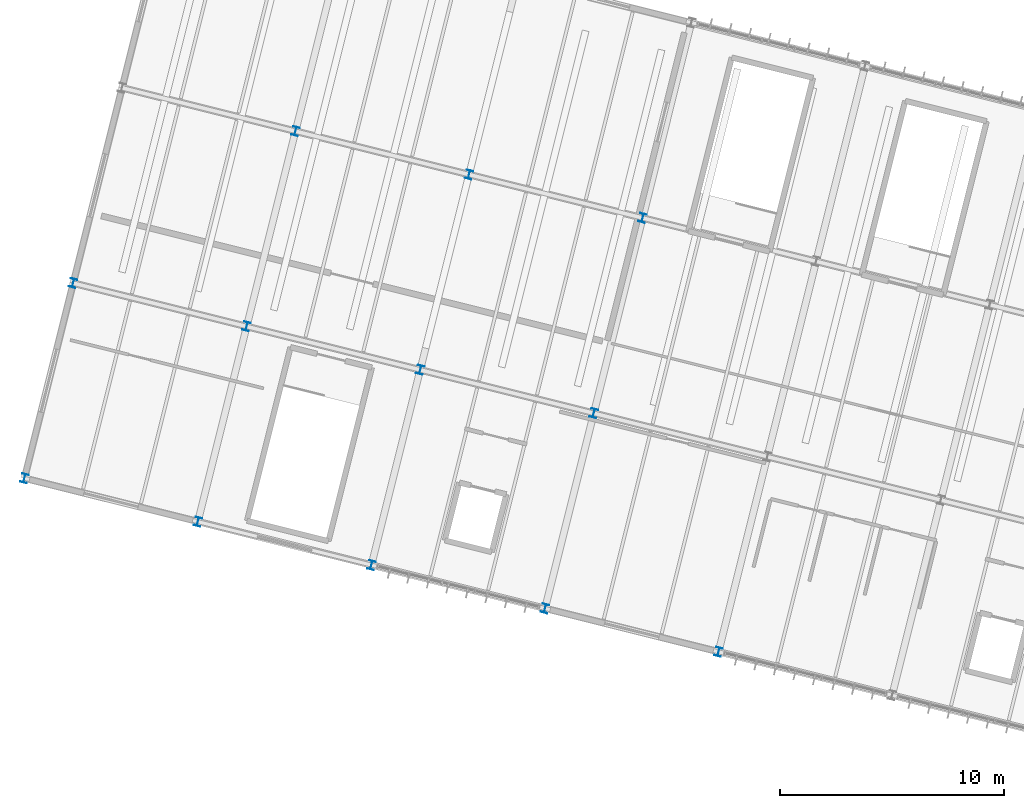
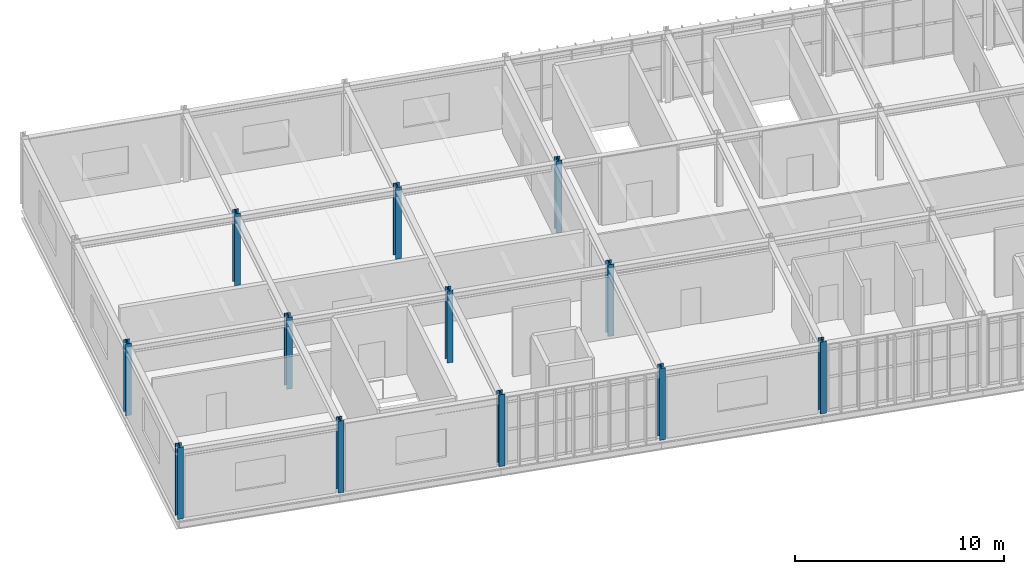
# One storey, part 1 of 30: 12 columns.
"""IFC4 building model written with IfcOpenShell, lengths in metres."""

from ifc_helpers import new_model, si_unit, derived_unit, direction, frame, origin, origin_2d, place, context, subcontext, project, spatial, i_section, extrude, material, material_profile, profile_set, type_object, element, save


model = new_model("IFC4")

# Units and contexts
model_context = context("Model", 3, precision=1e-05, world=origin(), true_north=direction((0.0, 1.0)))
body_context = subcontext(model_context, "Body", "Model", "MODEL_VIEW")
ifc_project = project(units=[si_unit("LENGTHUNIT", "METRE"), si_unit("AREAUNIT", "SQUARE_METRE"), si_unit("VOLUMEUNIT", "CUBIC_METRE"), si_unit("PLANEANGLEUNIT", "RADIAN"), si_unit("MASSUNIT", "GRAM", prefix="KILO"), si_unit("THERMODYNAMICTEMPERATUREUNIT", "KELVIN"), si_unit("TIMEUNIT", "SECOND"), derived_unit("THERMALTRANSMITTANCEUNIT", [(si_unit("MASSUNIT", "GRAM", prefix="KILO"), 1), (si_unit("THERMODYNAMICTEMPERATUREUNIT", "KELVIN"), -1), (si_unit("TIMEUNIT", "SECOND"), -3)])], contexts=[model_context])

# Site, building, storey
site_placement = place(None, origin())
site = spatial("IfcSite", under=ifc_project, at=site_placement, CompositionType="ELEMENT")
building_placement = place(site_placement, origin())
building = spatial("IfcBuilding", under=site, at=building_placement, Name="Cambertide Market Hall", CompositionType="ELEMENT")
storey_placement = place(building_placement, frame((0.0, 0.0, 14.10009765625)))
storey = spatial("IfcBuildingStorey", under=building, at=storey_placement, Name="L04", CompositionType="ELEMENT", Elevation=14.10009765625)

# Columns
ifc_material_1 = material(Name="Steel S355", Category="steel")
ifc_material_profile_1 = material_profile(ifc_material_1, i_section(OverallWidth=0.300048828125, OverallDepth=0.389892578125, WebThickness=0.010986328125, FlangeThickness=0.01904296875, FilletRadius=0.027099609375, at=origin_2d()), Name="HEA 400")
ifc_profile_set_1 = profile_set([ifc_material_profile_1], Name="Steel S355")
column_type_1 = type_object("IfcColumnType", Name="Exterior Steel Column HEA 400", PredefinedType="COLUMN", material=ifc_profile_set_1)
for number, where, z_axis, x_axis, name in (
    (1, (108.0, 100.0, 0.0), (0.0, 0.0, 1.0), (0.970142500145, -0.242535625038, 0.0), "Level 4 Column COL-V4-1-1-L04"),
    (2, (110.182861328125, 108.731201171875, 0.0), (0.0, 0.0, 1.0), (0.970142500145, -0.242535625038, 0.0), "Level 4 Column COL-V4-1-2-L04"),
    (3, (115.76123046875, 98.059814453125, 0.0), (0.0, 0.0, 1.0), (0.970142500145, -0.242535625038, 0.0), "Level 4 Column COL-V4-2-1-L04"),
    (4, (123.522216796875, 96.119384765625, 0.0), (0.0, 0.0, 1.0), (0.970142500145, -0.242535625038, 0.0), "Level 4 Column COL-V4-3-1-L04"),
    (5, (131.283447265625, 94.17919921875, 0.0), (0.0, 0.0, 1.0), (0.970142500145, -0.242535625038, 0.0), "Level 4 Column COL-V4-4-1-L04"),
    (6, (139.044677734375, 92.23876953125, 0.0), (0.0, 0.0, 1.0), (0.970142500145, -0.242535625038, 0.0), "Level 4 Column COL-V4-5-1-L04"),
):
    element("IfcColumn", number, at=place(storey_placement, frame(where, z_axis=z_axis, x_axis=x_axis)), inside=storey, type_object=column_type_1, Name=name, PredefinedType="COLUMN", context=body_context, shape_type="SweptSolid", body=[
        extrude(i_section(OverallWidth=0.300048828125, OverallDepth=0.389892578125, WebThickness=0.010986328125, FlangeThickness=0.01904296875, FilletRadius=0.027099609375, at=origin_2d()), origin(), (0.0, 0.0, 1.0), 4.199951171875),
    ])
ifc_material_2 = material(Name="Steel S355", Category="steel")
ifc_material_profile_2 = material_profile(ifc_material_2, i_section(OverallWidth=0.300048828125, OverallDepth=0.389892578125, WebThickness=0.010986328125, FlangeThickness=0.01904296875, FilletRadius=0.027099609375, at=origin_2d()), Name="HEA 400")
ifc_profile_set_2 = profile_set([ifc_material_profile_2], Name="Steel S355")
column_type_2 = type_object("IfcColumnType", Name="Steel Column HEA 400", PredefinedType="COLUMN", material=ifc_profile_set_2)
for number, where, z_axis, x_axis, name in (
    (7, (117.94384765625, 106.791015625, 0.0), (0.0, 0.0, 1.0), (0.970142500145, -0.242535625038, 0.0), "Level 4 Column COL-V4-2-2-L04"),
    (8, (120.126708984375, 115.522216796875, 0.0), (0.0, 0.0, 1.0), (0.970142500145, -0.242535625038, 0.0), "Level 4 Column COL-V4-2-3-L04"),
    (9, (125.705078125, 104.850830078125, 0.0), (0.0, 0.0, 1.0), (0.970142500145, -0.242535625038, 0.0), "Level 4 Column COL-V4-3-2-L04"),
    (10, (127.887939453125, 113.58203125, 0.0), (0.0, 0.0, 1.0), (0.970142500145, -0.242535625038, 0.0), "Level 4 Column COL-V4-3-3-L04"),
    (11, (133.46630859375, 102.910400390625, 0.0), (0.0, 0.0, 1.0), (0.970142500145, -0.242535625038, 0.0), "Level 4 Column COL-V4-4-2-L04"),
    (12, (135.649169921875, 111.6416015625, 0.0), (0.0, 0.0, 1.0), (0.970142500145, -0.242535625038, 0.0), "Level 4 Column COL-V4-4-3-L04"),
):
    element("IfcColumn", number, at=place(storey_placement, frame(where, z_axis=z_axis, x_axis=x_axis)), inside=storey, type_object=column_type_2, Name=name, PredefinedType="COLUMN", context=body_context, shape_type="SweptSolid", body=[
        extrude(i_section(OverallWidth=0.300048828125, OverallDepth=0.389892578125, WebThickness=0.010986328125, FlangeThickness=0.01904296875, FilletRadius=0.027099609375, at=origin_2d()), origin(), (0.0, 0.0, 1.0), 4.199951171875),
    ])

save(model, "model.ifc")
